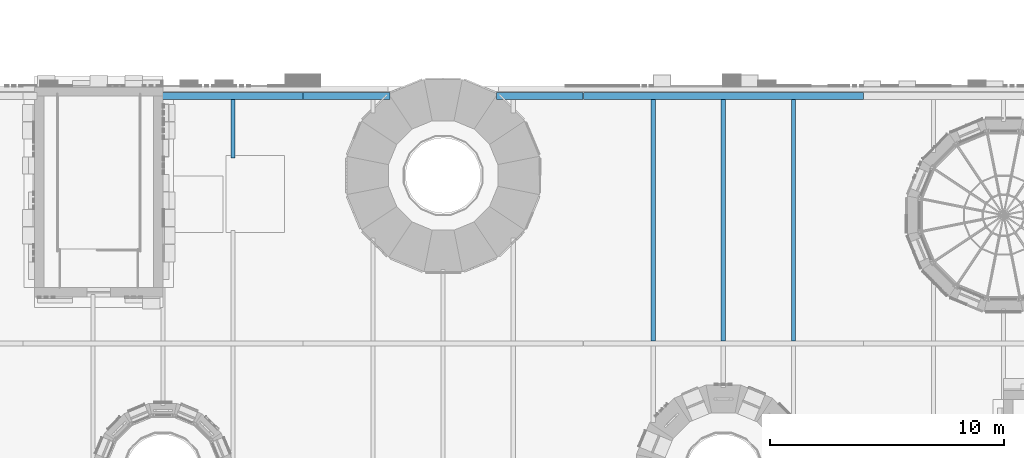
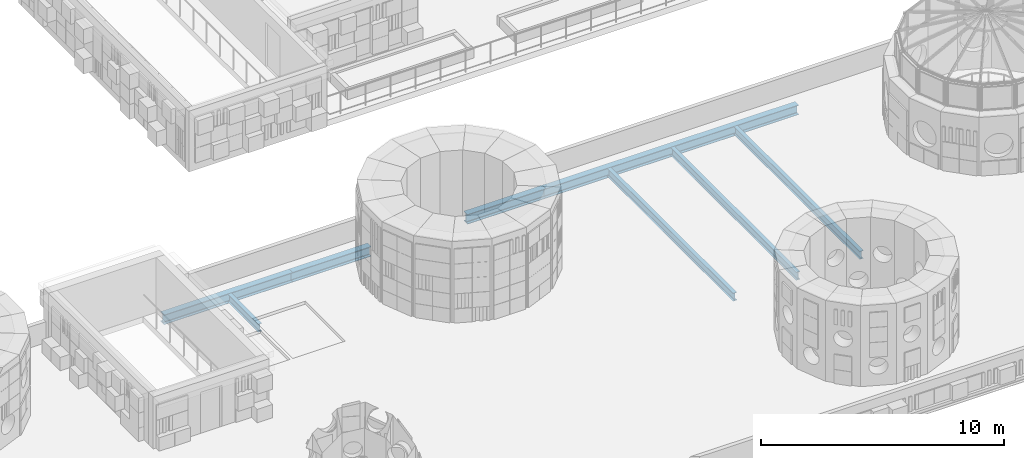
# One storey, part 11 of 98: 4 beams, 4 members.
"""IFC4 building model written with IfcOpenShell, lengths in metres."""

from ifc_helpers import new_model, si_unit, direction, frame, origin, origin_2d, place, context, subcontext, project, spatial, i_section, extrude, material, material_profile, profile_set, type_object, element, save


model = new_model("IFC4")

# Units and contexts
model_context = context("Model", 3, precision=1e-05, world=origin(), true_north=direction((0.0, 1.0)))
body_context = subcontext(model_context, "Body", "Model", "MODEL_VIEW")
ifc_project = project(units=[si_unit("LENGTHUNIT", "METRE"), si_unit("AREAUNIT", "SQUARE_METRE"), si_unit("VOLUMEUNIT", "CUBIC_METRE"), si_unit("PLANEANGLEUNIT", "RADIAN"), si_unit("MASSUNIT", "GRAM", prefix="KILO")], contexts=[model_context])

# Site, building, storey
site_placement = place(None, origin())
site = spatial("IfcSite", under=ifc_project, at=site_placement, CompositionType="ELEMENT")
building_placement = place(site_placement, origin())
building = spatial("IfcBuilding", under=site, at=building_placement, Name="Sun Court Science Centre", CompositionType="ELEMENT")
storey_placement = place(building_placement, frame((0.0, 0.0, 15.75)))
storey = spatial("IfcBuildingStorey", under=building, at=storey_placement, Name="L03", CompositionType="ELEMENT", Elevation=15.75)

# Members
ifc_material_1 = material(Name="Steel S275", Category="steel")
ifc_material_profile_1 = material_profile(ifc_material_1, i_section(OverallWidth=0.179931640625, OverallDepth=0.39990234375, WebThickness=0.008544921875, FlangeThickness=0.013427734375, FilletRadius=0.02099609375, at=origin_2d()), Name="IPE 400")
ifc_profile_set_1 = profile_set([ifc_material_profile_1], Name="Steel S275")
member_type = type_object("IfcMemberType", Name="Roof purlin IPE 400", PredefinedType="PURLIN", material=ifc_profile_set_1)
member_placement = place(storey_placement, frame((33.0, 24.949951171875, -0.35009765625), z_axis=(0.0, 1.0, 0.0), x_axis=(-1.0, 0.0, 0.0)))
element("IfcMember", 1, at=member_placement, inside=storey, type_object=member_type, Name="Roof purlin", PredefinedType="PURLIN", context=body_context, shape_type="SweptSolid", body=[
    extrude(i_section(OverallWidth=0.179931640625, OverallDepth=0.39990234375, WebThickness=0.008544921875, FlangeThickness=0.013427734375, FilletRadius=0.02099609375, at=origin_2d()), origin(), (0.0, 0.0, 1.0), 2.5),
])
for number, where, z_axis, x_axis, name in (
    (2, (51.0, 17.110107421875, -0.35009765625), (0.0, 1.0, 0.0), (-1.0, 0.0, 0.0), "Roof purlin"),
    (3, (54.0, 17.110107421875, -0.35009765625), (0.0, 1.0, 0.0), (-1.0, 0.0, 0.0), "Roof purlin"),
    (4, (57.0, 17.110107421875, -0.35009765625), (0.0, 1.0, 0.0), (-1.0, 0.0, 0.0), "Roof purlin"),
):
    element("IfcMember", number, at=place(storey_placement, frame(where, z_axis=z_axis, x_axis=x_axis)), inside=storey, type_object=member_type, Name=name, PredefinedType="PURLIN", context=body_context, shape_type="SweptSolid", body=[
        extrude(i_section(OverallWidth=0.179931640625, OverallDepth=0.39990234375, WebThickness=0.008544921875, FlangeThickness=0.013427734375, FilletRadius=0.02099609375, at=origin_2d()), origin(), (0.0, 0.0, 1.0), 10.33984375),
    ])

# Beams
ifc_material_2 = material(Name="Steel S355", Category="steel")
ifc_material_profile_2 = material_profile(ifc_material_2, i_section(OverallWidth=0.300048828125, OverallDepth=0.489990234375, WebThickness=0.011962890625, FlangeThickness=0.02294921875, FilletRadius=0.027099609375, at=origin_2d()), Name="HEA 500")
ifc_profile_set_2 = profile_set([ifc_material_profile_2], Name="Steel S355")
beam_type = type_object("IfcBeamType", Name="Steel beam HEA 500", PredefinedType="BEAM", material=ifc_profile_set_2)
beam_1_placement = place(storey_placement, frame((29.89990234375, 27.60009765625, -0.39501953125), z_axis=(1.0, 0.0, 0.0), x_axis=(0.0, 1.0, 0.0)))
element("IfcBeam", 5, at=beam_1_placement, inside=storey, type_object=beam_type, Name="Roof girder line 3", PredefinedType="BEAM", context=body_context, shape_type="SweptSolid", body=[
    extrude(i_section(OverallWidth=0.300048828125, OverallDepth=0.489990234375, WebThickness=0.011962890625, FlangeThickness=0.02294921875, FilletRadius=0.027099609375, at=origin_2d()), origin(), (0.0, 0.0, 1.0), 6.09912109375),
])
for number, where, z_axis, x_axis, name in (
    (6, (36.0009765625, 27.60009765625, -0.39501953125), (1.0, 0.0, 0.0), (0.0, 1.0, 0.0), "Roof girder line 3"),
    (7, (44.2841796875, 27.60009765625, -0.39501953125), (1.0, 0.0, 0.0), (0.0, 1.0, 0.0), "Roof girder line 3"),
):
    element("IfcBeam", number, at=place(storey_placement, frame(where, z_axis=z_axis, x_axis=x_axis)), inside=storey, type_object=beam_type, Name=name, PredefinedType="BEAM", context=body_context, shape_type="SweptSolid", body=[
        extrude(i_section(OverallWidth=0.300048828125, OverallDepth=0.489990234375, WebThickness=0.011962890625, FlangeThickness=0.02294921875, FilletRadius=0.027099609375, at=origin_2d()), origin(), (0.0, 0.0, 1.0), 3.71484375),
    ])
beam_2_placement = place(storey_placement, frame((48.0009765625, 27.60009765625, -0.39501953125), z_axis=(1.0, 0.0, 0.0), x_axis=(0.0, 1.0, 0.0)))
element("IfcBeam", 8, at=beam_2_placement, inside=storey, type_object=beam_type, Name="Roof girder line 3", PredefinedType="BEAM", context=body_context, shape_type="SweptSolid", body=[
    extrude(i_section(OverallWidth=0.300048828125, OverallDepth=0.489990234375, WebThickness=0.011962890625, FlangeThickness=0.02294921875, FilletRadius=0.027099609375, at=origin_2d()), origin(), (0.0, 0.0, 1.0), 11.998046875),
])

save(model, "model.ifc")
